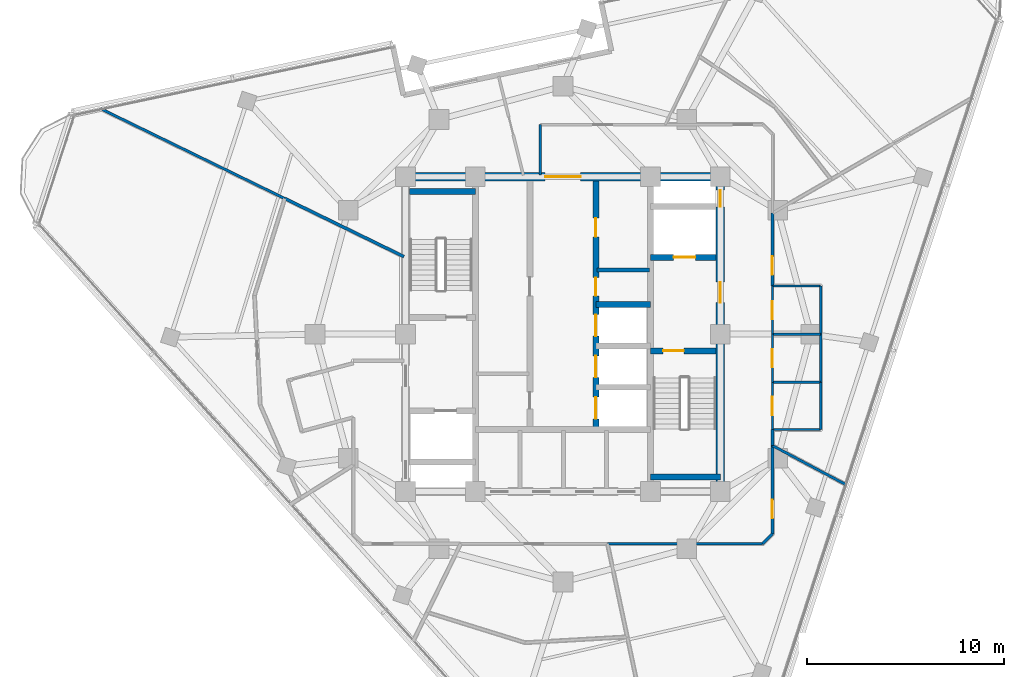
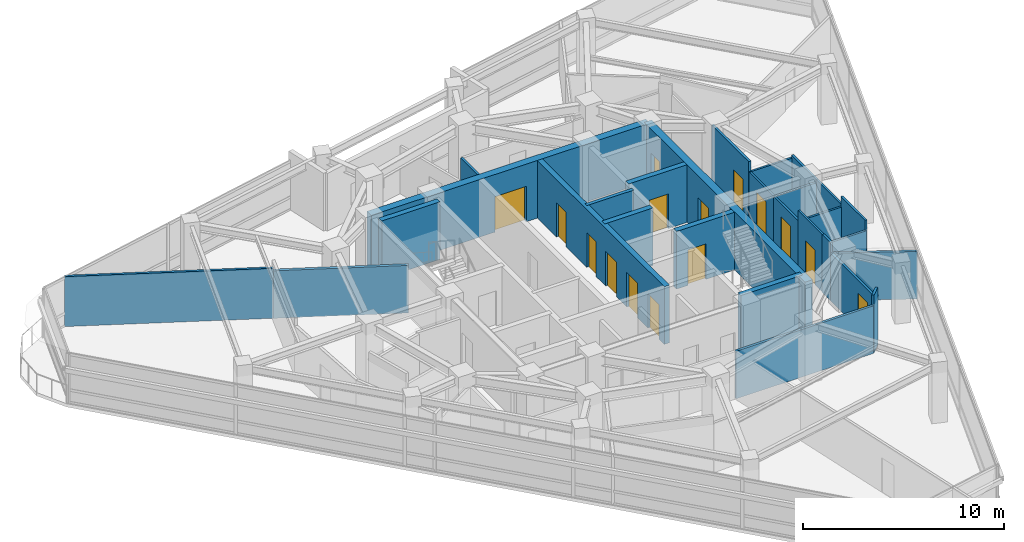
# One storey, part 9 of 15: 28 walls, 15 doors, 15 openings.
"""IFC4 building model written with IfcOpenShell, lengths in metres."""

import ifcopenshell
import ifcopenshell.guid

model = None  # the IFC model being written
_history = None  # IfcOwnerHistory: only IFC2X3 demands one
_inside = {}  # id of a spatial element -> (the spatial element, [elements in it])
_under = {}  # id of a project, library or spatial element -> (it, [spatial elements below it])
_declared = {}  # id of a project -> (the project, [libraries it declares])
_typed = {}  # id of a type object -> (the type object, [elements of that type])
_made_of = {}  # id of a material, layer set ... -> (it, [elements and type objects made of it])


def new_model(schema):
    """Start an empty IFC model of exactly this schema.

    Asked for "IFC4X3", IfcOpenShell would pick the latest addendum, in which some entities
    have other attributes; the version numbers below select the first issue.
    IFC2X3 requires an IfcOwnerHistory on every rooted entity: one is made here for all.
    """
    global model, _history
    if schema == "IFC4X3":
        model = ifcopenshell.file(schema_version=(4, 3, 0, 0))
    else:
        model = ifcopenshell.file(schema=schema)
    _inside.clear()
    _under.clear()
    _declared.clear()
    _typed.clear()
    _made_of.clear()
    _history = None
    if model.schema == "IFC2X3":
        org = make("IfcOrganization", Name="unknown")
        user = make(
            "IfcPersonAndOrganization",
            ThePerson=make("IfcPerson", FamilyName="unknown"),
            TheOrganization=org,
        )
        app = make(
            "IfcApplication",
            ApplicationDeveloper=org,
            Version="unknown",
            ApplicationFullName="unknown",
            ApplicationIdentifier="unknown",
        )
        _history = make(
            "IfcOwnerHistory",
            OwningUser=user,
            OwningApplication=app,
            ChangeAction="ADDED",
            CreationDate=0,
        )
    return model


def make(cls, **values):
    """One entity of the class cls with the attributes given. An attribute that is None is left unset."""
    return model.create_entity(
        cls, **{name: value for name, value in values.items() if value is not None}
    )


def rooted(cls, **values):
    """An entity with a GlobalId (a new one), such as an element, a storey or a relation."""
    return make(cls, GlobalId=ifcopenshell.guid.new(), OwnerHistory=_history, **values)


def si_unit(unit_type, name, prefix=None):
    """IfcSIUnit, for example si_unit("LENGTHUNIT", "METRE", prefix="MILLI")."""
    return make("IfcSIUnit", UnitType=unit_type, Prefix=prefix, Name=name)


def assignment(units):
    """IfcUnitAssignment: the units of a project."""
    return None if units is None else make("IfcUnitAssignment", Units=units)


def point(xyz):
    """IfcCartesianPoint."""
    return None if xyz is None else make("IfcCartesianPoint", Coordinates=xyz)


def direction(xyz):
    """IfcDirection."""
    return None if xyz is None else make("IfcDirection", DirectionRatios=xyz)


def frame(location, z_axis=None, x_axis=None):
    """IfcAxis2Placement3D, a coordinate frame: its origin and axes. An axis left out is left unset."""
    return make(
        "IfcAxis2Placement3D",
        Location=point(location),
        Axis=direction(z_axis),
        RefDirection=direction(x_axis),
    )


def frame_2d(location, x_axis=None):
    """IfcAxis2Placement2D, a coordinate frame in the plane: its origin and x axis."""
    return make(
        "IfcAxis2Placement2D", Location=point(location), RefDirection=direction(x_axis)
    )


def origin():
    """The frame at (0, 0, 0) with its axes left unset."""
    return frame((0.0, 0.0, 0.0))


def place(relative_to, where):
    """IfcLocalPlacement: puts the frame where relative to a parent placement (None: the world)."""
    return make(
        "IfcLocalPlacement", PlacementRelTo=relative_to, RelativePlacement=where
    )


def context(
    kind, dimensions, precision=None, world=None, true_north=None, identifier=None
):
    """IfcGeometricRepresentationContext, for example the 3D "Model" context."""
    return make(
        "IfcGeometricRepresentationContext",
        ContextIdentifier=identifier,
        ContextType=kind,
        CoordinateSpaceDimension=dimensions,
        Precision=precision,
        WorldCoordinateSystem=world,
        TrueNorth=true_north,
    )


def subcontext(parent, identifier, kind, view, scale=None):
    """IfcGeometricRepresentationSubContext, for example "Body" below "Model"."""
    return make(
        "IfcGeometricRepresentationSubContext",
        ContextIdentifier=identifier,
        ContextType=kind,
        ParentContext=parent,
        TargetScale=scale,
        TargetView=view,
    )


def project(units=None, contexts=None):
    """IfcProject with its units and contexts."""
    return rooted(
        "IfcProject",
        Name="project",
        RepresentationContexts=contexts,
        UnitsInContext=assignment(units),
    )


def spatial(cls, under=None, at=None, **own):
    """A site, building, storey or space (cls), placed at a placement, below another one or the project."""
    s = rooted(cls, ObjectPlacement=at, **own)
    if under is not None:
        _under.setdefault(under.id(), (under, []))[1].append(s)
    return s


def profile(cls, at=None, kind="AREA", **sizes):
    """A parametric profile (cls). Its sizes go by their IFC names, for example OverallWidth=200.0."""
    return make(cls, ProfileType=kind, Position=at, **sizes)


def rectangle(**sizes):
    """IfcRectangleProfileDef."""
    return profile("IfcRectangleProfileDef", **sizes)


def extrude(swept, where, along, depth):
    """IfcExtrudedAreaSolid: the profile swept, set in the frame where, extruded along a direction by depth."""
    return make(
        "IfcExtrudedAreaSolid",
        SweptArea=swept,
        Position=where,
        ExtrudedDirection=direction(along),
        Depth=depth,
    )


def shape(context_of_items, identifier, shape_type, items):
    """IfcShapeRepresentation: the items that make up one representation, for example the "Body"."""
    return make(
        "IfcShapeRepresentation",
        ContextOfItems=context_of_items,
        RepresentationIdentifier=identifier,
        RepresentationType=shape_type,
        Items=items,
    )


def material(Name=None, Category=None):
    """IfcMaterial."""
    return make("IfcMaterial", Name=Name, Category=Category)


def layer(
    of_material, thickness, ventilated=None, Name=None, Category=None, Priority=None
):
    """IfcMaterialLayer: one layer of a wall or slab, of a material (None: an air gap)."""
    return make(
        "IfcMaterialLayer",
        Material=of_material,
        LayerThickness=thickness,
        IsVentilated=ventilated,
        Name=Name,
        Category=Category,
        Priority=Priority,
    )


def layer_set(layers, Name=None):
    """IfcMaterialLayerSet."""
    return make("IfcMaterialLayerSet", MaterialLayers=layers, LayerSetName=Name)


def made_of(thing, what):
    """Note that an element or type object is made of a material, layer set ...; save() writes the relation."""
    if what is not None:
        _made_of.setdefault(what.id(), (what, []))[1].append(thing)
    return thing


def type_object(cls, material=None, **own):
    """A type object (cls), such as IfcWallType, which elements share."""
    return made_of(rooted(cls, **own), material)


def element(
    cls,
    number,
    at=None,
    inside=None,
    cuts=None,
    type_object=None,
    material=None,
    context=None,
    identifier="Body",
    shape_type=None,
    held_by="IfcProductDefinitionShape",
    body=None,
    shapes=None,
    **own,
):
    """One element of the class cls, such as IfcWall. Its Tag is "e" and its number.

    at: its placement. inside: the storey or other place that contains it. cuts: it is an
    opening in that element (IfcRelVoidsElement). A single representation is given by context,
    identifier, shape_type and body (its items); several are given by shapes. held_by: the class
    of the entity that holds the representations. save() writes the other relations.
    """
    e = rooted(cls, Tag="e%d" % number, ObjectPlacement=at, **own)
    if body is not None:
        shapes = [shape(context, identifier, shape_type, body)]
    if shapes is not None:
        e.Representation = make(held_by, Representations=shapes)
    if inside is not None:
        _inside.setdefault(inside.id(), (inside, []))[1].append(e)
    if cuts is not None:
        rooted(
            "IfcRelVoidsElement", RelatingBuildingElement=cuts, RelatedOpeningElement=e
        )
    if type_object is not None:
        _typed.setdefault(type_object.id(), (type_object, []))[1].append(e)
    return made_of(e, material)


def fill(opening, filler):
    """IfcRelFillsElement: the door or window that sits in an opening."""
    return rooted(
        "IfcRelFillsElement",
        RelatingOpeningElement=opening,
        RelatedBuildingElement=filler,
    )


def aggregate(whole, parts):
    """IfcRelAggregates: a whole, such as a stair, and the parts it consists of."""
    return rooted("IfcRelAggregates", RelatingObject=whole, RelatedObjects=parts)


def save(model, path):
    """Write the relations noted so far, then the file.

    IfcRelAggregates (storeys below a building ...), IfcRelContainedInSpatialStructure (elements
    in a storey), IfcRelDefinesByType, IfcRelAssociatesMaterial and IfcRelDeclares: one each for
    every whole, place, type object, material and project.
    """
    for whole, parts in _under.values():
        aggregate(whole, parts)
    for where, things in _inside.values():
        rooted(
            "IfcRelContainedInSpatialStructure",
            RelatedElements=things,
            RelatingStructure=where,
        )
    for kind, things in _typed.values():
        rooted("IfcRelDefinesByType", RelatedObjects=things, RelatingType=kind)
    for what, things in _made_of.values():
        rooted("IfcRelAssociatesMaterial", RelatedObjects=things, RelatingMaterial=what)
    for by, libraries in _declared.values():
        rooted("IfcRelDeclares", RelatingContext=by, RelatedDefinitions=libraries)
    model.write(path)


model = new_model("IFC4")

# Units and contexts
model_context = context("Model", 3, precision=1e-05, world=origin(), true_north=direction((0.0, 1.0)))
body_context = subcontext(model_context, "Body", "Model", "MODEL_VIEW")
ifc_project = project(units=[si_unit("LENGTHUNIT", "METRE"), si_unit("AREAUNIT", "SQUARE_METRE"), si_unit("VOLUMEUNIT", "CUBIC_METRE"), si_unit("PLANEANGLEUNIT", "RADIAN"), si_unit("MASSUNIT", "GRAM", prefix="KILO")], contexts=[model_context])

# Site, building, storey
site_placement = place(None, origin())
site = spatial("IfcSite", under=ifc_project, at=site_placement, CompositionType="ELEMENT")
building_placement = place(site_placement, origin())
building = spatial("IfcBuilding", under=site, at=building_placement, Name="Terralouvre Media Tower", CompositionType="ELEMENT")
storey_placement = place(building_placement, frame((0.0, 0.0, 305.39990234375)))
storey = spatial("IfcBuildingStorey", under=building, at=storey_placement, Name="L79", CompositionType="ELEMENT", Elevation=305.39990234375)

# Wall
ifc_material_1 = material(Name="Concrete C50/60", Category="concrete")
ifc_layer_1 = layer(ifc_material_1, 0.300048828125, Name="Core Internal Shaft Wall CW-300")
ifc_layer_set_1 = layer_set([ifc_layer_1], Name="Concrete C50/60")
wall_type_1 = type_object("IfcWallType", Name="Core Internal Shaft Wall CW-300", PredefinedType="SHEAR", material=ifc_layer_set_1)
wall_1_placement = place(storey_placement, frame((-7.7900390625, 7.260009765625, 0.0), z_axis=(0.0, 0.0, 1.0), x_axis=(1.0, 0.0, 0.0)))
element("IfcWall", 1, at=wall_1_placement, inside=storey, type_object=wall_type_1, Name="L79 Core Shaft Wall ST1F", PredefinedType="SHEAR", context=body_context, shape_type="SweptSolid", body=[
    extrude(rectangle(XDim=3.340087890625, YDim=0.300048828125, at=frame_2d((1.669921875, 0.0))), origin(), (0.0, 0.0, 1.0), 3.5),
])

# Wall, opening, door
wall_2_placement = place(storey_placement, frame((4.449951171875, -0.85009765625, 0.0), z_axis=(0.0, 0.0, 1.0), x_axis=(1.0, 0.0, 0.0)))
wall_2 = element("IfcWall", 2, at=wall_2_placement, inside=storey, type_object=wall_type_1, Name="L79 Core Shaft Wall ST2D", PredefinedType="SHEAR", context=body_context, shape_type="SweptSolid", body=[
    extrude(rectangle(XDim=3.340087890625, YDim=0.300048828125, at=frame_2d((1.669921875, 0.0))), origin(), (0.0, 0.0, 1.0), 3.5),
])
opening_1_placement = place(wall_2_placement, frame((0.64990234375, 0.0, 0.0)))
opening_1 = element("IfcOpeningElement", 3, at=opening_1_placement, cuts=wall_2, Name="Opening FD-01-105X215", PredefinedType="OPENING", context=body_context, shape_type="SweptSolid", body=[
    extrude(rectangle(XDim=1.050048828125, YDim=2.14990234375, at=frame_2d((0.52490234375, 1.074951171875))), frame((0.0, 0.159912109375, 0.0), z_axis=(0.0, -1.0, 0.0), x_axis=(1.0, 0.0, 0.0)), (0.0, 0.0, 1.0), 0.320068359375),
])
ifc_material_2 = material(Name="Galvanised steel fire-resisting leaf", Category="steel")
door_type_1 = type_object("IfcDoorType", Name="Stair and Firefighting Lobby Fire Door FD-01 (1050x2150)", OperationType="NOTDEFINED", PredefinedType="DOOR", material=ifc_material_2)
door_1_placement = place(opening_1_placement, origin())
door_1 = element("IfcDoor", 4, at=door_1_placement, inside=storey, type_object=door_type_1, Name="L79 ST-02 Exit Stair Door", OperationType="SINGLE_SWING_RIGHT", OverallHeight=2.14990234375, OverallWidth=1.050048828125, PredefinedType="DOOR", context=body_context, shape_type="SweptSolid", body=[
    extrude(rectangle(XDim=1.050048828125, YDim=2.14990234375, at=frame_2d((0.52490234375, 1.074951171875))), frame((0.0, 0.02490234375, 0.0), z_axis=(0.0, -1.0, 0.0), x_axis=(1.0, 0.0, 0.0)), (0.0, 0.0, 1.0), 0.050048828125),
])
fill(opening_1, door_1)

# Wall
wall_3_placement = place(storey_placement, frame((4.449951171875, -7.260009765625, 0.0), z_axis=(0.0, 0.0, 1.0), x_axis=(1.0, 0.0, 0.0)))
element("IfcWall", 5, at=wall_3_placement, inside=storey, type_object=wall_type_1, Name="L79 Core Shaft Wall ST2F", PredefinedType="SHEAR", context=body_context, shape_type="SweptSolid", body=[
    extrude(rectangle(XDim=3.550048828125, YDim=0.300048828125, at=frame_2d((1.77490234375, 0.0))), origin(), (0.0, 0.0, 1.0), 3.5),
])

# Wall, opening, door
wall_4_placement = place(storey_placement, frame((4.449951171875, 3.89990234375, 0.0), z_axis=(0.0, 0.0, 1.0), x_axis=(1.0, 0.0, 0.0)))
wall_4 = element("IfcWall", 6, at=wall_4_placement, inside=storey, type_object=wall_type_1, Name="L79 Core Shaft Wall FF2S", PredefinedType="SHEAR", context=body_context, shape_type="SweptSolid", body=[
    extrude(rectangle(XDim=3.340087890625, YDim=0.300048828125, at=frame_2d((1.669921875, 0.0))), origin(), (0.0, 0.0, 1.0), 3.5),
])
opening_2_placement = place(wall_4_placement, frame((1.179931640625, 0.0, 0.0)))
opening_2 = element("IfcOpeningElement", 7, at=opening_2_placement, cuts=wall_4, Name="Opening LD-FF", PredefinedType="OPENING", context=body_context, shape_type="SweptSolid", body=[
    extrude(rectangle(XDim=1.10009765625, YDim=2.10009765625, at=frame_2d((0.550048828125, 1.050048828125))), frame((0.0, 0.159912109375, 0.0), z_axis=(0.0, -1.0, 0.0), x_axis=(1.0, 0.0, 0.0)), (0.0, 0.0, 1.0), 0.320068359375),
])
ifc_material_3 = material(Name="Stainless steel 316 handrail and balustrade", Category="steel")
door_type_2 = type_object("IfcDoorType", Name="Firefighting Lift Sliding Landing Door LD-FF", OperationType="SLIDING_TO_LEFT", PredefinedType="DOOR", material=ifc_material_3)
door_2_placement = place(opening_2_placement, origin())
door_2 = element("IfcDoor", 8, at=door_2_placement, inside=storey, type_object=door_type_2, Name="L79 Firefighting Lift FFL-02 Landing Door", OperationType="SLIDING_TO_LEFT", OverallHeight=2.10009765625, OverallWidth=1.10009765625, PredefinedType="DOOR", context=body_context, shape_type="SweptSolid", body=[
    extrude(rectangle(XDim=1.10009765625, YDim=2.10009765625, at=frame_2d((0.550048828125, 1.050048828125))), frame((0.0, 0.02490234375, 0.0), z_axis=(0.0, -1.0, 0.0), x_axis=(1.0, 0.0, 0.0)), (0.0, 0.0, 1.0), 0.050048828125),
])
fill(opening_2, door_2)

# Wall, openings, doors
wall_5_placement = place(storey_placement, frame((1.679931640625, -4.85009765625, 0.0), z_axis=(0.0, 0.0, 1.0), x_axis=(0.0, 1.0, 0.0)))
wall_5 = element("IfcWall", 9, at=wall_5_placement, inside=storey, type_object=wall_type_1, Name="L79 Core Shaft Wall LBE", PredefinedType="SHEAR", context=body_context, shape_type="SweptSolid", body=[
    extrude(rectangle(XDim=12.64013671875, YDim=0.300048828125, at=frame_2d((6.320068359375, 0.0))), origin(), (0.0, 0.0, 1.0), 3.5),
])
opening_3_placement = place(wall_5_placement, frame((0.550048828125, 0.0, 0.0)))
opening_3 = element("IfcOpeningElement", 10, at=opening_3_placement, cuts=wall_5, Name="Opening LD-PL", PredefinedType="OPENING", context=body_context, shape_type="SweptSolid", body=[
    extrude(rectangle(XDim=1.10009765625, YDim=2.10009765625, at=frame_2d((0.550048828125, 1.050048828125))), frame((0.0, 0.159912109375, 0.0), z_axis=(0.0, -1.0, 0.0), x_axis=(1.0, 0.0, 0.0)), (0.0, 0.0, 1.0), 0.320068359375),
])
opening_4_placement = place(wall_5_placement, frame((2.64990234375, 0.0, 0.0)))
opening_4 = element("IfcOpeningElement", 11, at=opening_4_placement, cuts=wall_5, Name="Opening LD-PL", PredefinedType="OPENING", context=body_context, shape_type="SweptSolid", body=[
    extrude(rectangle(XDim=1.10009765625, YDim=2.10009765625, at=frame_2d((0.550048828125, 1.050048828125))), frame((0.0, 0.159912109375, 0.0), z_axis=(0.0, -1.0, 0.0), x_axis=(1.0, 0.0, 0.0)), (0.0, 0.0, 1.0), 0.320068359375),
])
opening_5_placement = place(wall_5_placement, frame((4.75, 0.0, 0.0)))
opening_5 = element("IfcOpeningElement", 12, at=opening_5_placement, cuts=wall_5, Name="Opening LD-PL", PredefinedType="OPENING", context=body_context, shape_type="SweptSolid", body=[
    extrude(rectangle(XDim=1.10009765625, YDim=2.10009765625, at=frame_2d((0.550048828125, 1.050048828125))), frame((0.0, 0.159912109375, 0.0), z_axis=(0.0, -1.0, 0.0), x_axis=(1.0, 0.0, 0.0)), (0.0, 0.0, 1.0), 0.320068359375),
])
opening_6_placement = place(wall_5_placement, frame((6.800048828125, 0.0, 0.0)))
opening_6 = element("IfcOpeningElement", 13, at=opening_6_placement, cuts=wall_5, Name="Opening FD-05-92X210", PredefinedType="OPENING", context=body_context, shape_type="SweptSolid", body=[
    extrude(rectangle(XDim=0.919921875, YDim=2.10009765625, at=frame_2d((0.4599609375, 1.050048828125))), frame((0.0, 0.159912109375, 0.0), z_axis=(0.0, -1.0, 0.0), x_axis=(1.0, 0.0, 0.0)), (0.0, 0.0, 1.0), 0.320068359375),
])
opening_7_placement = place(wall_5_placement, frame((9.800048828125, 0.0, 0.0)))
opening_7 = element("IfcOpeningElement", 14, at=opening_7_placement, cuts=wall_5, Name="Opening FD-02-95X210", PredefinedType="OPENING", context=body_context, shape_type="SweptSolid", body=[
    extrude(rectangle(XDim=0.949951171875, YDim=2.10009765625, at=frame_2d((0.47509765625, 1.050048828125))), frame((0.0, 0.159912109375, 0.0), z_axis=(0.0, -1.0, 0.0), x_axis=(1.0, 0.0, 0.0)), (0.0, 0.0, 1.0), 0.320068359375),
])
ifc_material_4 = material(Name="Galvanised steel fire-resisting leaf", Category="steel")
door_type_3 = type_object("IfcDoorType", Name="Core Accessible Closet Fire Door FD-05 (920x2100)", OperationType="NOTDEFINED", PredefinedType="DOOR", material=ifc_material_4)
door_3_placement = place(opening_6_placement, origin())
door_3 = element("IfcDoor", 15, at=door_3_placement, inside=storey, type_object=door_type_3, Name="L79 Core Safe Store Door", OperationType="SINGLE_SWING_LEFT", OverallHeight=2.10009765625, OverallWidth=0.919921875, PredefinedType="DOOR", context=body_context, shape_type="SweptSolid", body=[
    extrude(rectangle(XDim=0.919921875, YDim=2.10009765625, at=frame_2d((0.4599609375, 1.050048828125))), frame((0.0, 0.02490234375, 0.0), z_axis=(0.0, -1.0, 0.0), x_axis=(1.0, 0.0, 0.0)), (0.0, 0.0, 1.0), 0.050048828125),
])
fill(opening_6, door_3)
ifc_material_5 = material(Name="Stainless steel 316 handrail and balustrade", Category="steel")
door_type_4 = type_object("IfcDoorType", Name="Passenger Lift Sliding Landing Door LD-PL", OperationType="SLIDING_TO_LEFT", PredefinedType="DOOR", material=ifc_material_5)
door_4_placement = place(opening_3_placement, origin())
door_4 = element("IfcDoor", 16, at=door_4_placement, inside=storey, type_object=door_type_4, Name="L79 High-Rise Lift PL-H1 Landing Door", OperationType="SLIDING_TO_LEFT", OverallHeight=2.10009765625, OverallWidth=1.10009765625, PredefinedType="DOOR", context=body_context, shape_type="SweptSolid", body=[
    extrude(rectangle(XDim=1.10009765625, YDim=2.10009765625, at=frame_2d((0.550048828125, 1.050048828125))), frame((0.0, 0.02490234375, 0.0), z_axis=(0.0, -1.0, 0.0), x_axis=(1.0, 0.0, 0.0)), (0.0, 0.0, 1.0), 0.050048828125),
])
fill(opening_3, door_4)
door_5_placement = place(opening_4_placement, origin())
door_5 = element("IfcDoor", 17, at=door_5_placement, inside=storey, type_object=door_type_4, Name="L79 High-Rise Lift PL-H2 Landing Door", OperationType="SLIDING_TO_LEFT", OverallHeight=2.10009765625, OverallWidth=1.10009765625, PredefinedType="DOOR", context=body_context, shape_type="SweptSolid", body=[
    extrude(rectangle(XDim=1.10009765625, YDim=2.10009765625, at=frame_2d((0.550048828125, 1.050048828125))), frame((0.0, 0.02490234375, 0.0), z_axis=(0.0, -1.0, 0.0), x_axis=(1.0, 0.0, 0.0)), (0.0, 0.0, 1.0), 0.050048828125),
])
fill(opening_4, door_5)
door_6_placement = place(opening_5_placement, origin())
door_6 = element("IfcDoor", 18, at=door_6_placement, inside=storey, type_object=door_type_4, Name="L79 High-Rise Lift PL-H3 Landing Door", OperationType="SLIDING_TO_LEFT", OverallHeight=2.10009765625, OverallWidth=1.10009765625, PredefinedType="DOOR", context=body_context, shape_type="SweptSolid", body=[
    extrude(rectangle(XDim=1.10009765625, YDim=2.10009765625, at=frame_2d((0.550048828125, 1.050048828125))), frame((0.0, 0.02490234375, 0.0), z_axis=(0.0, -1.0, 0.0), x_axis=(1.0, 0.0, 0.0)), (0.0, 0.0, 1.0), 0.050048828125),
])
fill(opening_5, door_6)
ifc_material_6 = material(Name="Galvanised steel fire-resisting leaf", Category="steel")
door_type_5 = type_object("IfcDoorType", Name="Plant and Riser Fire Door FD-02 (950x2100)", OperationType="NOTDEFINED", PredefinedType="DOOR", material=ifc_material_6)
door_7_placement = place(opening_7_placement, origin())
door_7 = element("IfcDoor", 19, at=door_7_placement, inside=storey, type_object=door_type_5, Name="L79 Core IT Patch Plant Door", OperationType="SINGLE_SWING_RIGHT", OverallHeight=2.10009765625, OverallWidth=0.949951171875, PredefinedType="DOOR", context=body_context, shape_type="SweptSolid", body=[
    extrude(rectangle(XDim=0.949951171875, YDim=2.10009765625, at=frame_2d((0.47509765625, 1.050048828125))), frame((0.0, 0.02490234375, 0.0), z_axis=(0.0, -1.0, 0.0), x_axis=(1.0, 0.0, 0.0)), (0.0, 0.0, 1.0), 0.050048828125),
])
fill(opening_7, door_7)

# Wall
wall_6_placement = place(storey_placement, frame((1.679931640625, 1.5, 0.0), z_axis=(0.0, 0.0, 1.0), x_axis=(1.0, 0.0, 0.0)))
element("IfcWall", 20, at=wall_6_placement, inside=storey, type_object=wall_type_1, Name="L79 Core Shaft Wall PLMBOT", PredefinedType="SHEAR", context=body_context, shape_type="SweptSolid", body=[
    extrude(rectangle(XDim=2.77001953125, YDim=0.300048828125, at=frame_2d((1.385009765625, 0.0))), origin(), (0.0, 0.0, 1.0), 3.5),
])

# Wall, openings, doors
ifc_material_7 = material(Name="Concrete C60/75", Category="concrete")
ifc_layer_2 = layer(ifc_material_7, 0.419921875, Name="Core Reinforced Concrete Shear Wall CW-420")
ifc_layer_set_2 = layer_set([ifc_layer_2], Name="Concrete C60/75")
wall_type_2 = type_object("IfcWallType", Name="Core Reinforced Concrete Shear Wall CW-420", PredefinedType="SHEAR", material=ifc_layer_set_2)
wall_7_placement = place(storey_placement, frame((8.0, -8.0, 0.0), z_axis=(0.0, 0.0, 1.0), x_axis=(0.0, 1.0, 0.0)))
wall_7 = element("IfcWall", 21, at=wall_7_placement, inside=storey, type_object=wall_type_2, Name="L79 E Core Shear Wall", PredefinedType="SHEAR", context=body_context, shape_type="SweptSolid", body=[
    extrude(rectangle(XDim=16.0, YDim=0.419921875, at=frame_2d((8.0, 0.0))), origin(), (0.0, 0.0, 1.0), 3.5),
])
opening_8_placement = place(wall_7_placement, frame((9.60009765625, 0.0, 0.0)))
opening_8 = element("IfcOpeningElement", 22, at=opening_8_placement, cuts=wall_7, Name="Opening FD-01-105X215", PredefinedType="OPENING", context=body_context, shape_type="SweptSolid", body=[
    extrude(rectangle(XDim=1.050048828125, YDim=2.14990234375, at=frame_2d((0.52490234375, 1.074951171875))), frame((0.0, 0.219970703125, 0.0), z_axis=(0.0, -1.0, 0.0), x_axis=(1.0, 0.0, 0.0)), (0.0, 0.0, 1.0), 0.43994140625),
])
opening_9_placement = place(wall_7_placement, frame((14.468994140625, 0.0, 0.0)))
opening_9 = element("IfcOpeningElement", 23, at=opening_9_placement, cuts=wall_7, Name="Opening TD-R1", PredefinedType="OPENING", context=body_context, shape_type="SweptSolid", body=[
    extrude(rectangle(XDim=0.85009765625, YDim=2.02001953125, at=frame_2d((0.425048828125, 1.010009765625))), frame((0.0, 0.219970703125, 0.0), z_axis=(0.0, -1.0, 0.0), x_axis=(1.0, 0.0, 0.0)), (0.0, 0.0, 1.0), 0.43994140625),
])
ifc_material_8 = material(Name="Galvanised steel fire-resisting leaf", Category="steel")
door_type_6 = type_object("IfcDoorType", Name="Riser Inspection Access Trapdoor TD-R1", OperationType="NOTDEFINED", PredefinedType="TRAPDOOR", material=ifc_material_8)
door_8_placement = place(opening_9_placement, origin())
door_8 = element("IfcDoor", 24, at=door_8_placement, inside=storey, type_object=door_type_6, Name="L79 East Comms Riser Access Trapdoor", OperationType="SINGLE_SWING_RIGHT", OverallHeight=2.02001953125, OverallWidth=0.85009765625, PredefinedType="TRAPDOOR", context=body_context, shape_type="SweptSolid", body=[
    extrude(rectangle(XDim=0.85009765625, YDim=2.02001953125, at=frame_2d((0.425048828125, 1.010009765625))), frame((0.0, 0.02490234375, 0.0), z_axis=(0.0, -1.0, 0.0), x_axis=(1.0, 0.0, 0.0)), (0.0, 0.0, 1.0), 0.050048828125),
])
fill(opening_9, door_8)
door_9_placement = place(opening_8_placement, origin())
door_9 = element("IfcDoor", 25, at=door_9_placement, inside=storey, type_object=door_type_1, Name="L79 East Firefighting Lobby Entry Door", OperationType="SINGLE_SWING_LEFT", OverallHeight=2.14990234375, OverallWidth=1.050048828125, PredefinedType="DOOR", context=body_context, shape_type="SweptSolid", body=[
    extrude(rectangle(XDim=1.050048828125, YDim=2.14990234375, at=frame_2d((0.52490234375, 1.074951171875))), frame((0.0, 0.02490234375, 0.0), z_axis=(0.0, -1.0, 0.0), x_axis=(1.0, 0.0, 0.0)), (0.0, 0.0, 1.0), 0.050048828125),
])
fill(opening_8, door_9)

# Wall, opening, door
wall_8_placement = place(storey_placement, frame((-8.0, 8.0, 0.0), z_axis=(0.0, 0.0, 1.0), x_axis=(1.0, 0.0, 0.0)))
wall_8 = element("IfcWall", 26, at=wall_8_placement, inside=storey, type_object=wall_type_2, Name="L79 N Core Shear Wall", PredefinedType="SHEAR", context=body_context, shape_type="SweptSolid", body=[
    extrude(rectangle(XDim=16.0, YDim=0.419921875, at=frame_2d((8.0, 0.0))), origin(), (0.0, 0.0, 1.0), 3.5),
])
opening_10_placement = place(wall_8_placement, frame((7.10009765625, 0.0, 0.0)))
opening_10 = element("IfcOpeningElement", 27, at=opening_10_placement, cuts=wall_8, Name="Opening FD-03", PredefinedType="OPENING", context=body_context, shape_type="SweptSolid", body=[
    extrude(rectangle(XDim=1.800048828125, YDim=2.14990234375, at=frame_2d((0.89990234375, 1.074951171875))), frame((0.0, 0.219970703125, 0.0), z_axis=(0.0, -1.0, 0.0), x_axis=(1.0, 0.0, 0.0)), (0.0, 0.0, 1.0), 0.43994140625),
])
ifc_material_9 = material(Name="Galvanised steel fire-resisting leaf", Category="steel")
door_type_7 = type_object("IfcDoorType", Name="Corridor Smoke-Control Double Door FD-03", OperationType="DOUBLE_DOOR_SINGLE_SWING", PredefinedType="DOOR", material=ifc_material_9)
door_10_placement = place(opening_10_placement, origin())
door_10 = element("IfcDoor", 28, at=door_10_placement, inside=storey, type_object=door_type_7, Name="L79 Central Lift Lobby Portal Door", OperationType="DOUBLE_DOOR_SINGLE_SWING", OverallHeight=2.14990234375, OverallWidth=1.800048828125, PredefinedType="DOOR", context=body_context, shape_type="SweptSolid", body=[
    extrude(rectangle(XDim=1.800048828125, YDim=2.14990234375, at=frame_2d((0.89990234375, 1.074951171875))), frame((0.0, 0.02490234375, 0.0), z_axis=(0.0, -1.0, 0.0), x_axis=(1.0, 0.0, 0.0)), (0.0, 0.0, 1.0), 0.050048828125),
])
fill(opening_10, door_10)

# Walls
ifc_material_10 = material(Name="Fire-rated gypsum board drywall partition")
ifc_layer_3 = layer(ifc_material_10, 0.199951171875, Name="Fire-Rated Shaft and Lobby Partition FW-200")
ifc_layer_set_3 = layer_set([ifc_layer_3], Name="Fire-rated gypsum board drywall partition")
wall_type_3 = type_object("IfcWallType", Name="Fire-Rated Shaft and Lobby Partition FW-200", PredefinedType="SOLIDWALL", material=ifc_layer_set_3)
wall_9_placement = place(storey_placement, frame((1.719970703125, 3.27001953125, 0.0), z_axis=(0.0, 0.0, 1.0), x_axis=(1.0, 0.0, 0.0)))
element("IfcWall", 29, at=wall_9_placement, inside=storey, type_object=wall_type_3, Name="L79 Core East Sub-Partition 1", PredefinedType="SOLIDWALL", context=body_context, shape_type="SweptSolid", body=[
    extrude(rectangle(XDim=2.679931640625, YDim=0.199951171875, at=frame_2d((1.33984375, 0.0))), origin(), (0.0, 0.0, 1.0), 3.5),
])
ifc_material_11 = material(Name="Fire-rated gypsum board drywall partition")
ifc_layer_4 = layer(ifc_material_11, 0.135009765625, Name="Newsroom Acoustic Partition PT-135")
ifc_layer_set_4 = layer_set([ifc_layer_4], Name="Fire-rated gypsum board drywall partition")
wall_type_4 = type_object("IfcWallType", Name="Newsroom Acoustic Partition PT-135", PredefinedType="PARTITIONING", material=ifc_layer_set_4)
wall_10_placement = place(storey_placement, frame((2.263916015625, -10.64990234375, 0.0), z_axis=(0.0, 0.0, 1.0), x_axis=(1.0, 0.0, 0.0)))
element("IfcWall", 30, at=wall_10_placement, inside=storey, type_object=wall_type_4, Name="L79 Interior Partition 010", PredefinedType="PARTITIONING", context=body_context, shape_type="SweptSolid", body=[
    extrude(rectangle(XDim=7.885986328125, YDim=0.135009765625, at=frame_2d((3.94287109375, 0.0))), origin(), (0.0, 0.0, 1.0), 2.885009765625),
])
wall_11_placement = place(storey_placement, frame((10.14990234375, -10.64990234375, 0.0), z_axis=(0.0, 0.0, 1.0), x_axis=(0.707106781187, 0.707106781187, 0.0)))
element("IfcWall", 31, at=wall_11_placement, inside=storey, type_object=wall_type_4, Name="L79 Interior Partition 011", PredefinedType="PARTITIONING", context=body_context, shape_type="SweptSolid", body=[
    extrude(rectangle(XDim=0.70703125, YDim=0.135009765625, at=frame_2d((0.353515625, 0.0))), origin(), (0.0, 0.0, 1.0), 3.5),
])

# Wall, opening, door
wall_12_placement = place(storey_placement, frame((10.64990234375, -10.14990234375, 0.0), z_axis=(0.0, 0.0, 1.0), x_axis=(0.0, 1.0, 0.0)))
wall_12 = element("IfcWall", 32, at=wall_12_placement, inside=storey, type_object=wall_type_4, Name="L79 Interior Partition 012", PredefinedType="PARTITIONING", context=body_context, shape_type="SweptSolid", body=[
    extrude(rectangle(XDim=4.48681640625, YDim=0.135009765625, at=frame_2d((2.243408203125, 0.0))), origin(), (0.0, 0.0, 1.0), 2.885009765625),
])
opening_11_placement = place(wall_12_placement, frame((0.781494140625, 0.0, 0.0)))
opening_11 = element("IfcOpeningElement", 33, at=opening_11_placement, cuts=wall_12, Name="Opening ID-02-95X210", PredefinedType="OPENING", context=body_context, shape_type="SweptSolid", body=[
    extrude(rectangle(XDim=0.949951171875, YDim=2.10009765625, at=frame_2d((0.47509765625, 1.050048828125))), frame((0.0, 0.077392578125, 0.0), z_axis=(0.0, -1.0, 0.0), x_axis=(1.0, 0.0, 0.0)), (0.0, 0.0, 1.0), 0.155029296875),
])
ifc_material_12 = material(Name="Engineered hardwood acoustic timber leaf", Category="wood")
door_type_8 = type_object("IfcDoorType", Name="Office and Meeting Room Door ID-02 (950x2100)", OperationType="NOTDEFINED", PredefinedType="DOOR", material=ifc_material_12)
door_11_placement = place(opening_11_placement, origin())
door_11 = element("IfcDoor", 34, at=door_11_placement, inside=storey, type_object=door_type_8, Name="L79 Podcast Host Green Lounge 5 Door", OperationType="SINGLE_SWING_LEFT", OverallHeight=2.10009765625, OverallWidth=0.949951171875, PredefinedType="DOOR", context=body_context, shape_type="SweptSolid", body=[
    extrude(rectangle(XDim=0.949951171875, YDim=2.10009765625, at=frame_2d((0.47509765625, 1.050048828125))), frame((0.0, 0.02490234375, 0.0), z_axis=(0.0, -1.0, 0.0), x_axis=(1.0, 0.0, 0.0)), (0.0, 0.0, 1.0), 0.050048828125),
])
fill(opening_11, door_11)

# Wall
wall_13_placement = place(storey_placement, frame((10.64990234375, -5.6630859375, 0.0), z_axis=(0.0, 0.0, 1.0), x_axis=(0.0, 1.0, 0.0)))
element("IfcWall", 35, at=wall_13_placement, inside=storey, type_object=wall_type_4, Name="L79 Interior Partition 016", PredefinedType="PARTITIONING", context=body_context, shape_type="SweptSolid", body=[
    extrude(rectangle(XDim=0.81298828125, YDim=0.135009765625, at=frame_2d((0.406494140625, 0.0))), origin(), (0.0, 0.0, 1.0), 3.5),
])

# Wall, opening, door
wall_14_placement = place(storey_placement, frame((10.64990234375, 2.449951171875, 0.0), z_axis=(0.0, 0.0, 1.0), x_axis=(0.0, 1.0, 0.0)))
wall_14 = element("IfcWall", 36, at=wall_14_placement, inside=storey, type_object=wall_type_4, Name="L79 Interior Partition 017", PredefinedType="PARTITIONING", context=body_context, shape_type="SweptSolid", body=[
    extrude(rectangle(XDim=3.698974609375, YDim=0.135009765625, at=frame_2d((1.849609375, 0.0))), origin(), (0.0, 0.0, 1.0), 3.5),
])
opening_12_placement = place(wall_14_placement, frame((0.560791015625, 0.0, 0.0)))
opening_12 = element("IfcOpeningElement", 37, at=opening_12_placement, cuts=wall_14, Name="Opening ID-02-95X210", PredefinedType="OPENING", context=body_context, shape_type="SweptSolid", body=[
    extrude(rectangle(XDim=0.949951171875, YDim=2.10009765625, at=frame_2d((0.47509765625, 1.050048828125))), frame((0.0, 0.077392578125, 0.0), z_axis=(0.0, -1.0, 0.0), x_axis=(1.0, 0.0, 0.0)), (0.0, 0.0, 1.0), 0.155029296875),
])
door_12_placement = place(opening_12_placement, origin())
door_12 = element("IfcDoor", 38, at=door_12_placement, inside=storey, type_object=door_type_8, Name="L79 Acoustic Listening Study 6 Door", OperationType="SINGLE_SWING_LEFT", OverallHeight=2.10009765625, OverallWidth=0.949951171875, PredefinedType="DOOR", context=body_context, shape_type="SweptSolid", body=[
    extrude(rectangle(XDim=0.949951171875, YDim=2.10009765625, at=frame_2d((0.47509765625, 1.050048828125))), frame((0.0, 0.02490234375, 0.0), z_axis=(0.0, -1.0, 0.0), x_axis=(1.0, 0.0, 0.0)), (0.0, 0.0, 1.0), 0.050048828125),
])
fill(opening_12, door_12)

# Walls
wall_15_placement = place(storey_placement, frame((-1.14990234375, 10.64990234375, 0.0), z_axis=(0.0, 0.0, 1.0), x_axis=(0.0, -1.0, 0.0)))
element("IfcWall", 39, at=wall_15_placement, inside=storey, type_object=wall_type_4, Name="L79 Interior Partition 022", PredefinedType="PARTITIONING", context=body_context, shape_type="SweptSolid", body=[
    extrude(rectangle(XDim=2.56982421875, YDim=0.135009765625, at=frame_2d((1.284912109375, 0.0))), origin(), (0.0, 0.0, 1.0), 2.885009765625),
])
wall_16_placement = place(storey_placement, frame((14.431640625, -7.6728515625, 0.0), z_axis=(0.0, 0.0, 1.0), x_axis=(-0.883046328231, 0.469285821433, 0.0)))
element("IfcWall", 40, at=wall_16_placement, inside=storey, type_object=wall_type_4, Name="L79 Interior Partition 035", PredefinedType="PARTITIONING", context=body_context, shape_type="SweptSolid", body=[
    extrude(rectangle(XDim=4.28271484375, YDim=0.135009765625, at=frame_2d((2.141357421875, 0.0))), origin(), (0.0, 0.0, 1.0), 2.885009765625),
])
wall_17_placement = place(storey_placement, frame((-23.498046875, 11.461181640625, 0.0), z_axis=(0.0, 0.0, 1.0), x_axis=(0.898777683883, -0.438404693125, 0.0)))
element("IfcWall", 41, at=wall_17_placement, inside=storey, type_object=wall_type_4, Name="L79 Interior Partition 050", PredefinedType="PARTITIONING", context=body_context, shape_type="SweptSolid", body=[
    extrude(rectangle(XDim=10.4130859375, YDim=0.135009765625, at=frame_2d((5.20654296875, 0.0))), origin(), (0.0, 0.0, 1.0), 3.03515625),
])

# Wall, opening, door
ifc_material_13 = material(Name="Fire-rated gypsum board drywall partition")
ifc_layer_5 = layer(ifc_material_13, 0.114990234375, Name="Restroom and Pantry Partition PT-115")
ifc_layer_set_5 = layer_set([ifc_layer_5], Name="Fire-rated gypsum board drywall partition")
wall_type_5 = type_object("IfcWallType", Name="Restroom and Pantry Partition PT-115", PredefinedType="PARTITIONING", material=ifc_layer_set_5)
wall_18_placement = place(storey_placement, frame((10.64990234375, -4.85009765625, 0.0), z_axis=(0.0, 0.0, 1.0), x_axis=(0.0, 1.0, 0.0)))
wall_18 = element("IfcWall", 42, at=wall_18_placement, inside=storey, type_object=wall_type_5, Name="L79 Interior Partition 013", PredefinedType="PARTITIONING", context=body_context, shape_type="SweptSolid", body=[
    extrude(rectangle(XDim=2.400146484375, YDim=0.114990234375, at=frame_2d((1.2001953125, 0.0))), origin(), (0.0, 0.0, 1.0), 3.5),
])
opening_13_placement = place(wall_18_placement, frame((0.739990234375, 0.0, 0.0)))
opening_13 = element("IfcOpeningElement", 43, at=opening_13_placement, cuts=wall_18, Name="Opening ID-03-92X210", PredefinedType="OPENING", context=body_context, shape_type="SweptSolid", body=[
    extrude(rectangle(XDim=0.919921875, YDim=2.10009765625, at=frame_2d((0.4599609375, 1.050048828125))), frame((0.0, 0.0673828125, 0.0), z_axis=(0.0, -1.0, 0.0), x_axis=(1.0, 0.0, 0.0)), (0.0, 0.0, 1.0), 0.135009765625),
])
ifc_material_14 = material(Name="Engineered hardwood acoustic timber leaf", Category="wood")
door_type_9 = type_object("IfcDoorType", Name="Accessible Restroom and Suite Door ID-03 (920x2100)", OperationType="NOTDEFINED", PredefinedType="DOOR", material=ifc_material_14)
door_13_placement = place(opening_13_placement, origin())
door_13 = element("IfcDoor", 44, at=door_13_placement, inside=storey, type_object=door_type_9, Name="L79 Male Restroom WC Door", OperationType="SINGLE_SWING_RIGHT", OverallHeight=2.10009765625, OverallWidth=0.919921875, PredefinedType="DOOR", context=body_context, shape_type="SweptSolid", body=[
    extrude(rectangle(XDim=0.919921875, YDim=2.10009765625, at=frame_2d((0.4599609375, 1.050048828125))), frame((0.0, 0.02490234375, 0.0), z_axis=(0.0, -1.0, 0.0), x_axis=(1.0, 0.0, 0.0)), (0.0, 0.0, 1.0), 0.050048828125),
])
fill(opening_13, door_13)

wall_19_placement = place(storey_placement, frame((10.64990234375, -2.449951171875, 0.0), z_axis=(0.0, 0.0, 1.0), x_axis=(0.0, 1.0, 0.0)))
wall_19 = element("IfcWall", 45, at=wall_19_placement, inside=storey, type_object=wall_type_5, Name="L79 Interior Partition 014", PredefinedType="PARTITIONING", context=body_context, shape_type="SweptSolid", body=[
    extrude(rectangle(XDim=2.449951171875, YDim=0.114990234375, at=frame_2d((1.22509765625, 0.0))), origin(), (0.0, 0.0, 1.0), 2.885009765625),
])
opening_14_placement = place(wall_19_placement, frame((0.764892578125, 0.0, 0.0)))
opening_14 = element("IfcOpeningElement", 46, at=opening_14_placement, cuts=wall_19, Name="Opening ID-03-92X210", PredefinedType="OPENING", context=body_context, shape_type="SweptSolid", body=[
    extrude(rectangle(XDim=0.919921875, YDim=2.10009765625, at=frame_2d((0.4599609375, 1.050048828125))), frame((0.0, 0.0673828125, 0.0), z_axis=(0.0, -1.0, 0.0), x_axis=(1.0, 0.0, 0.0)), (0.0, 0.0, 1.0), 0.135009765625),
])
door_14_placement = place(opening_14_placement, origin())
door_14 = element("IfcDoor", 47, at=door_14_placement, inside=storey, type_object=door_type_9, Name="L79 Female Restroom WC Door", OperationType="SINGLE_SWING_LEFT", OverallHeight=2.10009765625, OverallWidth=0.919921875, PredefinedType="DOOR", context=body_context, shape_type="SweptSolid", body=[
    extrude(rectangle(XDim=0.919921875, YDim=2.10009765625, at=frame_2d((0.4599609375, 1.050048828125))), frame((0.0, 0.02490234375, 0.0), z_axis=(0.0, -1.0, 0.0), x_axis=(1.0, 0.0, 0.0)), (0.0, 0.0, 1.0), 0.050048828125),
])
fill(opening_14, door_14)

wall_20_placement = place(storey_placement, frame((10.64990234375, 0.0, 0.0), z_axis=(0.0, 0.0, 1.0), x_axis=(0.0, 1.0, 0.0)))
wall_20 = element("IfcWall", 48, at=wall_20_placement, inside=storey, type_object=wall_type_5, Name="L79 Interior Partition 015", PredefinedType="PARTITIONING", context=body_context, shape_type="SweptSolid", body=[
    extrude(rectangle(XDim=2.449951171875, YDim=0.114990234375, at=frame_2d((1.22509765625, 0.0))), origin(), (0.0, 0.0, 1.0), 2.885009765625),
])
opening_15_placement = place(wall_20_placement, frame((0.764892578125, 0.0, 0.0)))
opening_15 = element("IfcOpeningElement", 49, at=opening_15_placement, cuts=wall_20, Name="Opening ID-03-92X210", PredefinedType="OPENING", context=body_context, shape_type="SweptSolid", body=[
    extrude(rectangle(XDim=0.919921875, YDim=2.10009765625, at=frame_2d((0.4599609375, 1.050048828125))), frame((0.0, 0.0673828125, 0.0), z_axis=(0.0, -1.0, 0.0), x_axis=(1.0, 0.0, 0.0)), (0.0, 0.0, 1.0), 0.135009765625),
])
door_15_placement = place(opening_15_placement, origin())
door_15 = element("IfcDoor", 50, at=door_15_placement, inside=storey, type_object=door_type_9, Name="L79 Accessible Unisex WC Door", OperationType="SINGLE_SWING_RIGHT", OverallHeight=2.10009765625, OverallWidth=0.919921875, PredefinedType="DOOR", context=body_context, shape_type="SweptSolid", body=[
    extrude(rectangle(XDim=0.919921875, YDim=2.10009765625, at=frame_2d((0.4599609375, 1.050048828125))), frame((0.0, 0.02490234375, 0.0), z_axis=(0.0, -1.0, 0.0), x_axis=(1.0, 0.0, 0.0)), (0.0, 0.0, 1.0), 0.050048828125),
])
fill(opening_15, door_15)

# Walls
for number, where, z_axis, x_axis, name in (
    (51, (13.10009765625, -2.449951171875, 0.0), (0.0, 0.0, 1.0), (-1.0, 0.0, 0.0), "L79 Interior Partition 036"),
    (52, (10.64990234375, -4.85009765625, 0.0), (0.0, 0.0, 1.0), (1.0, 0.0, 0.0), "L79 Interior Partition 037"),
):
    element("IfcWall", number, at=place(storey_placement, frame(where, z_axis=z_axis, x_axis=x_axis)), inside=storey, type_object=wall_type_5, Name=name, PredefinedType="PARTITIONING", context=body_context, shape_type="SweptSolid", body=[
        extrude(rectangle(XDim=2.4501953125, YDim=0.114990234375, at=frame_2d((1.22509765625, 0.0))), origin(), (0.0, 0.0, 1.0), 2.885009765625),
    ])
wall_21_placement = place(storey_placement, frame((13.10009765625, -4.85009765625, 0.0), z_axis=(0.0, 0.0, 1.0), x_axis=(0.0, 1.0, 0.0)))
element("IfcWall", 53, at=wall_21_placement, inside=storey, type_object=wall_type_5, Name="L79 Interior Partition 038", PredefinedType="PARTITIONING", context=body_context, shape_type="SweptSolid", body=[
    extrude(rectangle(XDim=2.400146484375, YDim=0.114990234375, at=frame_2d((1.2001953125, 0.0))), origin(), (0.0, 0.0, 1.0), 3.5),
])
wall_22_placement = place(storey_placement, frame((13.10009765625, 0.0, 0.0), z_axis=(0.0, 0.0, 1.0), x_axis=(-1.0, 0.0, 0.0)))
element("IfcWall", 54, at=wall_22_placement, inside=storey, type_object=wall_type_5, Name="L79 Interior Partition 039", PredefinedType="PARTITIONING", context=body_context, shape_type="SweptSolid", body=[
    extrude(rectangle(XDim=2.4501953125, YDim=0.114990234375, at=frame_2d((1.22509765625, 0.0))), origin(), (0.0, 0.0, 1.0), 2.885009765625),
])
for number, where, z_axis, x_axis, name in (
    (55, (13.10009765625, -2.449951171875, 0.0), (0.0, 0.0, 1.0), (0.0, 1.0, 0.0), "L79 Interior Partition 040"),
    (56, (13.10009765625, 0.0, 0.0), (0.0, 0.0, 1.0), (0.0, 1.0, 0.0), "L79 Interior Partition 041"),
):
    element("IfcWall", number, at=place(storey_placement, frame(where, z_axis=z_axis, x_axis=x_axis)), inside=storey, type_object=wall_type_5, Name=name, PredefinedType="PARTITIONING", context=body_context, shape_type="SweptSolid", body=[
        extrude(rectangle(XDim=2.449951171875, YDim=0.114990234375, at=frame_2d((1.22509765625, 0.0))), origin(), (0.0, 0.0, 1.0), 3.03515625),
    ])
wall_23_placement = place(storey_placement, frame((13.10009765625, 2.449951171875, 0.0), z_axis=(0.0, 0.0, 1.0), x_axis=(-1.0, 0.0, 0.0)))
element("IfcWall", 57, at=wall_23_placement, inside=storey, type_object=wall_type_5, Name="L79 Interior Partition 042", PredefinedType="PARTITIONING", context=body_context, shape_type="SweptSolid", body=[
    extrude(rectangle(XDim=2.4501953125, YDim=0.114990234375, at=frame_2d((1.22509765625, 0.0))), origin(), (0.0, 0.0, 1.0), 2.885009765625),
])
ifc_material_15 = material(Name="Fire-rated gypsum board drywall partition")
ifc_layer_6 = layer(ifc_material_15, 0.159912109375, Name="Studio Acoustic Rated Partition PT-160")
ifc_layer_set_6 = layer_set([ifc_layer_6], Name="Fire-rated gypsum board drywall partition")
wall_type_6 = type_object("IfcWallType", Name="Studio Acoustic Rated Partition PT-160", PredefinedType="PARTITIONING", material=ifc_layer_set_6)
wall_24_placement = place(storey_placement, frame((-8.080078125, 3.940673828125, 0.0), z_axis=(0.0, 0.0, 1.0), x_axis=(-0.898780627628, 0.438398658074, 0.0)))
element("IfcWall", 58, at=wall_24_placement, inside=storey, type_object=wall_type_6, Name="L79 Interior Partition 024", PredefinedType="PARTITIONING", context=body_context, shape_type="SweptSolid", body=[
    extrude(rectangle(XDim=6.7412109375, YDim=0.159912109375, at=frame_2d((3.37060546875, 0.0))), origin(), (0.0, 0.0, 1.0), 2.885009765625),
])

save(model, "model.ifc")
